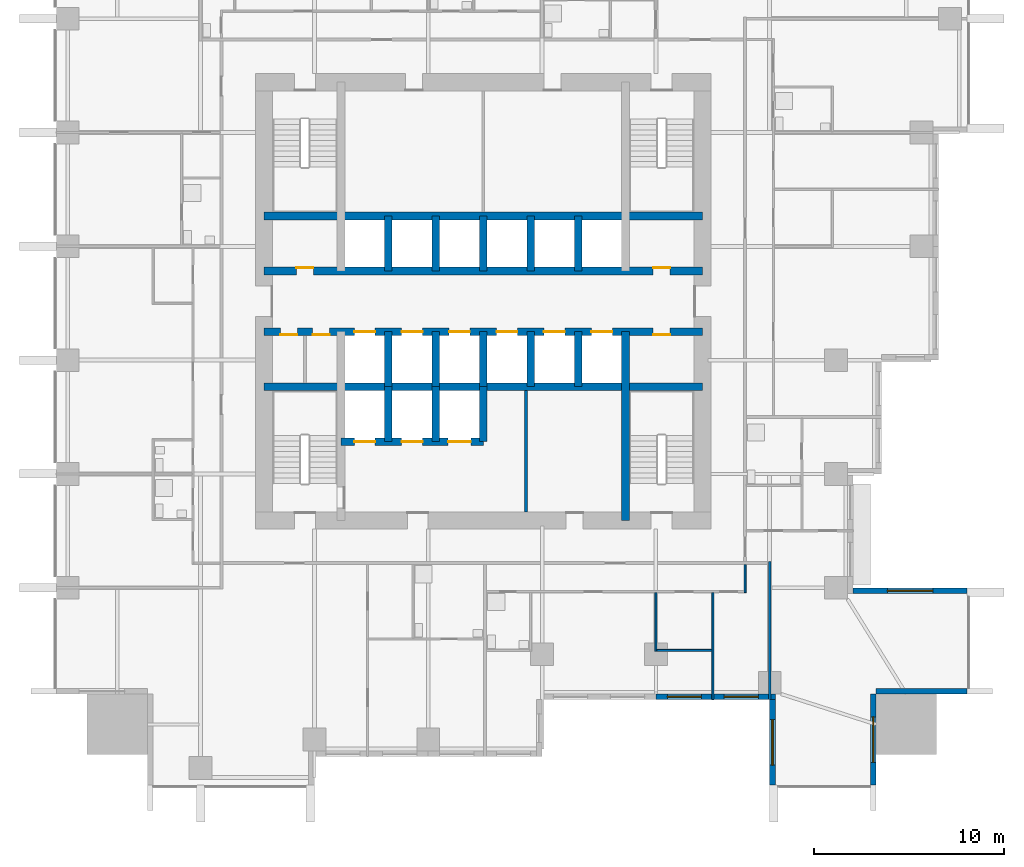
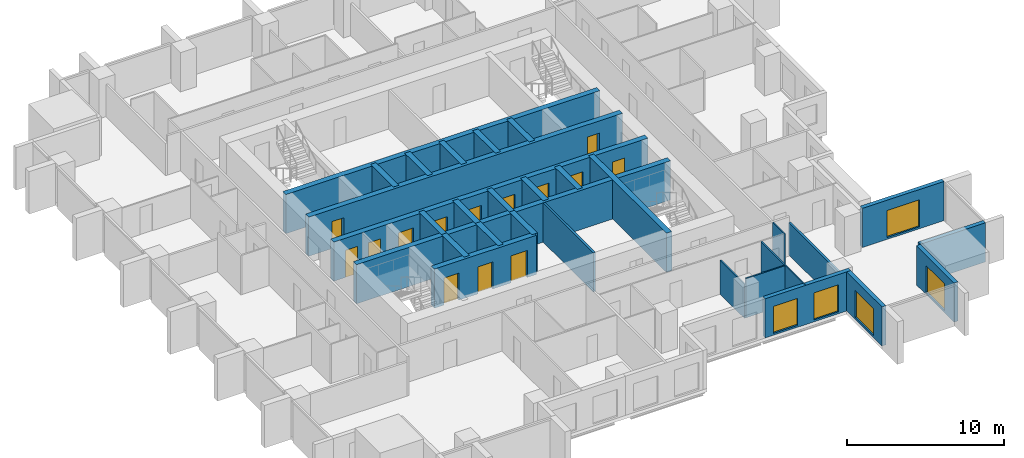
# One storey, part 5 of 10: 30 walls, 14 doors, 5 windows, 19 openings.
"""IFC4 building model written with IfcOpenShell, lengths in metres."""

from ifc_helpers import new_model, si_unit, direction, frame, frame_2d, origin, place, context, subcontext, project, spatial, rectangle, extrude, material, layer, layer_set, type_object, element, fill, save


model = new_model("IFC4")

# Units and contexts
model_context = context("Model", 3, precision=1e-05, world=origin(), true_north=direction((0.0, 1.0)))
body_context = subcontext(model_context, "Body", "Model", "MODEL_VIEW")
ifc_project = project(units=[si_unit("LENGTHUNIT", "METRE"), si_unit("AREAUNIT", "SQUARE_METRE"), si_unit("VOLUMEUNIT", "CUBIC_METRE"), si_unit("PLANEANGLEUNIT", "RADIAN"), si_unit("MASSUNIT", "GRAM", prefix="KILO")], contexts=[model_context])

# Site, building, storey
site_placement = place(None, origin())
site = spatial("IfcSite", under=ifc_project, at=site_placement, CompositionType="ELEMENT")
building_placement = place(site_placement, origin())
building = spatial("IfcBuilding", under=site, at=building_placement, Name="Amberfall Residences", CompositionType="ELEMENT")
storey_placement = place(building_placement, frame((0.0, 0.0, 36.699951171875)))
storey = spatial("IfcBuildingStorey", under=building, at=storey_placement, Name="L09", CompositionType="ELEMENT", Elevation=36.699951171875)

# Wall, opening, window
ifc_material_1 = material(Name="Pale stone cladding on insulated backing", Category="masonry")
ifc_layer_1 = layer(ifc_material_1, 0.300048828125)
ifc_layer_set_1 = layer_set([ifc_layer_1], Name="Bronze clad wall 300")
wall_type_1 = type_object("IfcWallType", Name="Bronze clad wall 300", PredefinedType="SOLIDWALL", material=ifc_layer_set_1)
wall_1_placement = place(storey_placement, frame((89.75, 24.5, 0.0), z_axis=(0.0, 0.0, 1.0), x_axis=(0.0, -1.0, 0.0)))
wall_1 = element("IfcWall", 1, at=wall_1_placement, inside=storey, type_object=wall_type_1, Name="External wall L09 S", PredefinedType="SOLIDWALL", context=body_context, shape_type="SweptSolid", body=[
    extrude(rectangle(XDim=4.5, YDim=0.300048828125, at=frame_2d((2.25, 0.0))), origin(), (0.0, 0.0, 1.0), 3.050048828125),
])
opening_1_placement = place(wall_1_placement, frame((1.050048828125, 0.0, 0.14990234375)))
opening_1 = element("IfcOpeningElement", 2, at=opening_1_placement, cuts=wall_1, Name="Opening WN5", PredefinedType="OPENING", context=body_context, shape_type="SweptSolid", body=[
    extrude(rectangle(XDim=2.39990234375, YDim=2.10009765625, at=frame_2d((1.199951171875, 1.050048828125))), frame((0.0, 0.159912109375, 0.0), z_axis=(0.0, -1.0, 0.0), x_axis=(1.0, 0.0, 0.0)), (0.0, 0.0, 1.0), 0.320068359375),
])
ifc_material_2 = material(Name="Bronze aluminium framed glazing", Category="aluminium")
window_type_1 = type_object("IfcWindowType", Name="Glazed opening 2400 x 2100 bronze", PartitioningType="DOUBLE_PANEL_VERTICAL", PredefinedType="WINDOW", material=ifc_material_2)
window_1_placement = place(opening_1_placement, origin())
window_1 = element("IfcWindow", 3, at=window_1_placement, inside=storey, type_object=window_type_1, Name="Window L09 S", OverallHeight=2.10009765625, OverallWidth=2.39990234375, PartitioningType="DOUBLE_PANEL_VERTICAL", PredefinedType="WINDOW", context=body_context, shape_type="SweptSolid", body=[
    extrude(rectangle(XDim=2.39990234375, YDim=2.10009765625, at=frame_2d((1.199951171875, 1.050048828125))), frame((0.0, 0.030029296875, 0.0), z_axis=(0.0, -1.0, 0.0), x_axis=(1.0, 0.0, 0.0)), (0.0, 0.0, 1.0), 0.06005859375),
])
fill(opening_1, window_1)

wall_2_placement = place(storey_placement, frame((95.050048828125, 20.0, 0.0), z_axis=(0.0, 0.0, 1.0), x_axis=(0.0, 1.0, 0.0)))
wall_2 = element("IfcWall", 4, at=wall_2_placement, inside=storey, type_object=wall_type_1, Name="External wall L09 SE", PredefinedType="SOLIDWALL", context=body_context, shape_type="SweptSolid", body=[
    extrude(rectangle(XDim=4.800048828125, YDim=0.300048828125, at=frame_2d((2.39990234375, 0.0))), origin(), (0.0, 0.0, 1.0), 3.050048828125),
])
opening_2_placement = place(wall_2_placement, frame((1.199951171875, 0.0, 0.14990234375)))
opening_2 = element("IfcOpeningElement", 5, at=opening_2_placement, cuts=wall_2, Name="Opening WN5", PredefinedType="OPENING", context=body_context, shape_type="SweptSolid", body=[
    extrude(rectangle(XDim=2.39990234375, YDim=2.10009765625, at=frame_2d((1.199951171875, 1.050048828125))), frame((0.0, 0.159912109375, 0.0), z_axis=(0.0, -1.0, 0.0), x_axis=(1.0, 0.0, 0.0)), (0.0, 0.0, 1.0), 0.320068359375),
])
window_2_placement = place(opening_2_placement, origin())
window_2 = element("IfcWindow", 6, at=window_2_placement, inside=storey, type_object=window_type_1, Name="Window L09 SE", OverallHeight=2.10009765625, OverallWidth=2.39990234375, PartitioningType="DOUBLE_PANEL_VERTICAL", PredefinedType="WINDOW", context=body_context, shape_type="SweptSolid", body=[
    extrude(rectangle(XDim=2.39990234375, YDim=2.10009765625, at=frame_2d((1.199951171875, 1.050048828125))), frame((0.0, 0.030029296875, 0.0), z_axis=(0.0, -1.0, 0.0), x_axis=(1.0, 0.0, 0.0)), (0.0, 0.0, 1.0), 0.06005859375),
])
fill(opening_2, window_2)

# Wall
wall_3_placement = place(storey_placement, frame((95.199951171875, 24.949951171875, 0.0), z_axis=(0.0, 0.0, 1.0), x_axis=(1.0, 0.0, 0.0)))
element("IfcWall", 7, at=wall_3_placement, inside=storey, type_object=wall_type_1, Name="External wall L09 SE", PredefinedType="SOLIDWALL", context=body_context, shape_type="SweptSolid", body=[
    extrude(rectangle(XDim=4.800048828125, YDim=0.300048828125, at=frame_2d((2.39990234375, 0.0))), origin(), (0.0, 0.0, 1.0), 3.050048828125),
])

# Wall, opening, window
wall_4_placement = place(storey_placement, frame((100.0, 30.25, 0.0), z_axis=(0.0, 0.0, 1.0), x_axis=(-1.0, 0.0, 0.0)))
wall_4 = element("IfcWall", 8, at=wall_4_placement, inside=storey, type_object=wall_type_1, Name="External wall L09 E", PredefinedType="SOLIDWALL", context=body_context, shape_type="SweptSolid", body=[
    extrude(rectangle(XDim=6.0, YDim=0.300048828125, at=frame_2d((3.0, 0.0))), origin(), (0.0, 0.0, 1.0), 3.050048828125),
])
opening_3_placement = place(wall_4_placement, frame((1.800048828125, 0.0, 0.14990234375)))
opening_3 = element("IfcOpeningElement", 9, at=opening_3_placement, cuts=wall_4, Name="Opening WN5", PredefinedType="OPENING", context=body_context, shape_type="SweptSolid", body=[
    extrude(rectangle(XDim=2.39990234375, YDim=2.10009765625, at=frame_2d((1.199951171875, 1.050048828125))), frame((0.0, 0.159912109375, 0.0), z_axis=(0.0, -1.0, 0.0), x_axis=(1.0, 0.0, 0.0)), (0.0, 0.0, 1.0), 0.320068359375),
])
window_3_placement = place(opening_3_placement, origin())
window_3 = element("IfcWindow", 10, at=window_3_placement, inside=storey, type_object=window_type_1, Name="Window L09 E", OverallHeight=2.10009765625, OverallWidth=2.39990234375, PartitioningType="DOUBLE_PANEL_VERTICAL", PredefinedType="WINDOW", context=body_context, shape_type="SweptSolid", body=[
    extrude(rectangle(XDim=2.39990234375, YDim=2.10009765625, at=frame_2d((1.199951171875, 1.050048828125))), frame((0.0, 0.030029296875, 0.0), z_axis=(0.0, -1.0, 0.0), x_axis=(1.0, 0.0, 0.0)), (0.0, 0.0, 1.0), 0.06005859375),
])
fill(opening_3, window_3)

# Wall, openings, windows
wall_5_placement = place(storey_placement, frame((83.60009765625, 24.64990234375, 0.0), z_axis=(0.0, 0.0, 1.0), x_axis=(1.0, 0.0, 0.0)))
wall_5 = element("IfcWall", 11, at=wall_5_placement, inside=storey, type_object=wall_type_1, Name="Stone wall L09 S", PredefinedType="SOLIDWALL", context=body_context, shape_type="SweptSolid", body=[
    extrude(rectangle(XDim=6.2998046875, YDim=0.300048828125, at=frame_2d((3.14990234375, 0.0))), origin(), (0.0, 0.0, 1.0), 3.050048828125),
])
opening_4_placement = place(wall_5_placement, frame((0.60009765625, 0.0, 0.14990234375)))
opening_4 = element("IfcOpeningElement", 12, at=opening_4_placement, cuts=wall_5, Name="Opening WN6", PredefinedType="OPENING", context=body_context, shape_type="SweptSolid", body=[
    extrude(rectangle(XDim=1.800048828125, YDim=2.10009765625, at=frame_2d((0.89990234375, 1.050048828125))), frame((0.0, 0.159912109375, 0.0), z_axis=(0.0, -1.0, 0.0), x_axis=(1.0, 0.0, 0.0)), (0.0, 0.0, 1.0), 0.320068359375),
])
opening_5_placement = place(wall_5_placement, frame((3.60009765625, 0.0, 0.14990234375)))
opening_5 = element("IfcOpeningElement", 13, at=opening_5_placement, cuts=wall_5, Name="Opening WN6", PredefinedType="OPENING", context=body_context, shape_type="SweptSolid", body=[
    extrude(rectangle(XDim=1.800048828125, YDim=2.10009765625, at=frame_2d((0.89990234375, 1.050048828125))), frame((0.0, 0.159912109375, 0.0), z_axis=(0.0, -1.0, 0.0), x_axis=(1.0, 0.0, 0.0)), (0.0, 0.0, 1.0), 0.320068359375),
])
window_type_2 = type_object("IfcWindowType", Name="Glazed opening 1800 x 2100 bronze", PartitioningType="DOUBLE_PANEL_VERTICAL", PredefinedType="WINDOW", material=ifc_material_2)
window_4_placement = place(opening_4_placement, origin())
window_4 = element("IfcWindow", 14, at=window_4_placement, inside=storey, type_object=window_type_2, Name="Window L09 S", OverallHeight=2.10009765625, OverallWidth=1.800048828125, PartitioningType="DOUBLE_PANEL_VERTICAL", PredefinedType="WINDOW", context=body_context, shape_type="SweptSolid", body=[
    extrude(rectangle(XDim=1.800048828125, YDim=2.10009765625, at=frame_2d((0.89990234375, 1.050048828125))), frame((0.0, 0.030029296875, 0.0), z_axis=(0.0, -1.0, 0.0), x_axis=(1.0, 0.0, 0.0)), (0.0, 0.0, 1.0), 0.06005859375),
])
fill(opening_4, window_4)
window_5_placement = place(opening_5_placement, origin())
window_5 = element("IfcWindow", 15, at=window_5_placement, inside=storey, type_object=window_type_2, Name="Window L09 S", OverallHeight=2.10009765625, OverallWidth=1.800048828125, PartitioningType="DOUBLE_PANEL_VERTICAL", PredefinedType="WINDOW", context=body_context, shape_type="SweptSolid", body=[
    extrude(rectangle(XDim=1.800048828125, YDim=2.10009765625, at=frame_2d((0.89990234375, 1.050048828125))), frame((0.0, 0.030029296875, 0.0), z_axis=(0.0, -1.0, 0.0), x_axis=(1.0, 0.0, 0.0)), (0.0, 0.0, 1.0), 0.06005859375),
])
fill(opening_5, window_5)

# Wall
ifc_material_3 = material(Name="Concrete C80", Category="concrete")
ifc_layer_2 = layer(ifc_material_3, 0.39990234375)
ifc_layer_set_2 = layer_set([ifc_layer_2], Name="Core wall 400 C80")
wall_type_2 = type_object("IfcWallType", Name="Core wall 400 C80", PredefinedType="SHEAR", material=ifc_layer_set_2)
wall_6_placement = place(storey_placement, frame((62.949951171875, 41.0, 0.0), z_axis=(0.0, 0.0, 1.0), x_axis=(1.0, 0.0, 0.0)))
element("IfcWall", 16, at=wall_6_placement, inside=storey, type_object=wall_type_2, Name="Core wall RW2 L09 H75", PredefinedType="SHEAR", context=body_context, shape_type="SweptSolid", body=[
    extrude(rectangle(XDim=23.10009765625, YDim=0.39990234375, at=frame_2d((11.550048828125, 0.0))), origin(), (0.0, 0.0, 1.0), 3.050048828125),
])

# Wall, openings, doors
wall_7_placement = place(storey_placement, frame((62.949951171875, 43.89990234375, 0.0), z_axis=(0.0, 0.0, 1.0), x_axis=(1.0, 0.0, 0.0)))
wall_7 = element("IfcWall", 17, at=wall_7_placement, inside=storey, type_object=wall_type_2, Name="Core wall RW2 L09 H104", PredefinedType="SHEAR", context=body_context, shape_type="SweptSolid", body=[
    extrude(rectangle(XDim=23.10009765625, YDim=0.39990234375, at=frame_2d((11.550048828125, 0.0))), origin(), (0.0, 0.0, 1.0), 3.050048828125),
])
opening_6_placement = place(wall_7_placement, frame((0.85009765625, 0.0, 0.0)))
opening_6 = element("IfcOpeningElement", 18, at=opening_6_placement, cuts=wall_7, Name="Opening RD1", PredefinedType="OPENING", context=body_context, shape_type="SweptSolid", body=[
    extrude(rectangle(XDim=0.89990234375, YDim=2.10009765625, at=frame_2d((0.449951171875, 1.050048828125))), frame((0.0, 0.2099609375, 0.0), z_axis=(0.0, -1.0, 0.0), x_axis=(1.0, 0.0, 0.0)), (0.0, 0.0, 1.0), 0.419921875),
])
opening_7_placement = place(wall_7_placement, frame((2.550048828125, 0.0, 0.0)))
opening_7 = element("IfcOpeningElement", 19, at=opening_7_placement, cuts=wall_7, Name="Opening RD1", PredefinedType="OPENING", context=body_context, shape_type="SweptSolid", body=[
    extrude(rectangle(XDim=0.89990234375, YDim=2.10009765625, at=frame_2d((0.449951171875, 1.050048828125))), frame((0.0, 0.2099609375, 0.0), z_axis=(0.0, -1.0, 0.0), x_axis=(1.0, 0.0, 0.0)), (0.0, 0.0, 1.0), 0.419921875),
])
opening_8_placement = place(wall_7_placement, frame((20.5, 0.0, 0.0)))
opening_8 = element("IfcOpeningElement", 20, at=opening_8_placement, cuts=wall_7, Name="Opening RD1", PredefinedType="OPENING", context=body_context, shape_type="SweptSolid", body=[
    extrude(rectangle(XDim=0.89990234375, YDim=2.10009765625, at=frame_2d((0.449951171875, 1.050048828125))), frame((0.0, 0.2099609375, 0.0), z_axis=(0.0, -1.0, 0.0), x_axis=(1.0, 0.0, 0.0)), (0.0, 0.0, 1.0), 0.419921875),
])
opening_9_placement = place(wall_7_placement, frame((4.75, 0.0, 0.0)))
opening_9 = element("IfcOpeningElement", 21, at=opening_9_placement, cuts=wall_7, Name="Opening LD1", PredefinedType="OPENING", context=body_context, shape_type="SweptSolid", body=[
    extrude(rectangle(XDim=1.10009765625, YDim=2.10009765625, at=frame_2d((0.550048828125, 1.050048828125))), frame((0.0, 0.2099609375, 0.0), z_axis=(0.0, -1.0, 0.0), x_axis=(1.0, 0.0, 0.0)), (0.0, 0.0, 1.0), 0.419921875),
])
opening_10_placement = place(wall_7_placement, frame((7.25, 0.0, 0.0)))
opening_10 = element("IfcOpeningElement", 22, at=opening_10_placement, cuts=wall_7, Name="Opening LD1", PredefinedType="OPENING", context=body_context, shape_type="SweptSolid", body=[
    extrude(rectangle(XDim=1.10009765625, YDim=2.10009765625, at=frame_2d((0.550048828125, 1.050048828125))), frame((0.0, 0.2099609375, 0.0), z_axis=(0.0, -1.0, 0.0), x_axis=(1.0, 0.0, 0.0)), (0.0, 0.0, 1.0), 0.419921875),
])
opening_11_placement = place(wall_7_placement, frame((9.75, 0.0, 0.0)))
opening_11 = element("IfcOpeningElement", 23, at=opening_11_placement, cuts=wall_7, Name="Opening LD1", PredefinedType="OPENING", context=body_context, shape_type="SweptSolid", body=[
    extrude(rectangle(XDim=1.10009765625, YDim=2.10009765625, at=frame_2d((0.550048828125, 1.050048828125))), frame((0.0, 0.2099609375, 0.0), z_axis=(0.0, -1.0, 0.0), x_axis=(1.0, 0.0, 0.0)), (0.0, 0.0, 1.0), 0.419921875),
])
opening_12_placement = place(wall_7_placement, frame((12.25, 0.0, 0.0)))
opening_12 = element("IfcOpeningElement", 24, at=opening_12_placement, cuts=wall_7, Name="Opening LD1", PredefinedType="OPENING", context=body_context, shape_type="SweptSolid", body=[
    extrude(rectangle(XDim=1.10009765625, YDim=2.10009765625, at=frame_2d((0.550048828125, 1.050048828125))), frame((0.0, 0.2099609375, 0.0), z_axis=(0.0, -1.0, 0.0), x_axis=(1.0, 0.0, 0.0)), (0.0, 0.0, 1.0), 0.419921875),
])
opening_13_placement = place(wall_7_placement, frame((14.75, 0.0, 0.0)))
opening_13 = element("IfcOpeningElement", 25, at=opening_13_placement, cuts=wall_7, Name="Opening LD1", PredefinedType="OPENING", context=body_context, shape_type="SweptSolid", body=[
    extrude(rectangle(XDim=1.10009765625, YDim=2.10009765625, at=frame_2d((0.550048828125, 1.050048828125))), frame((0.0, 0.2099609375, 0.0), z_axis=(0.0, -1.0, 0.0), x_axis=(1.0, 0.0, 0.0)), (0.0, 0.0, 1.0), 0.419921875),
])
opening_14_placement = place(wall_7_placement, frame((17.25, 0.0, 0.0)))
opening_14 = element("IfcOpeningElement", 26, at=opening_14_placement, cuts=wall_7, Name="Opening LD1", PredefinedType="OPENING", context=body_context, shape_type="SweptSolid", body=[
    extrude(rectangle(XDim=1.10009765625, YDim=2.10009765625, at=frame_2d((0.550048828125, 1.050048828125))), frame((0.0, 0.2099609375, 0.0), z_axis=(0.0, -1.0, 0.0), x_axis=(1.0, 0.0, 0.0)), (0.0, 0.0, 1.0), 0.419921875),
])
ifc_material_4 = material(Name="Steel fire door set", Category="steel")
door_type_1 = type_object("IfcDoorType", Name="Lift landing door 1100 x 2100", OperationType="DOUBLE_DOOR_SLIDING", PredefinedType="DOOR", material=ifc_material_4)
door_1_placement = place(opening_9_placement, origin())
door_1 = element("IfcDoor", 27, at=door_1_placement, inside=storey, type_object=door_type_1, Name="Landing door LP1 L09", OperationType="DOUBLE_DOOR_SLIDING", OverallHeight=2.10009765625, OverallWidth=1.10009765625, PredefinedType="DOOR", context=body_context, shape_type="SweptSolid", body=[
    extrude(rectangle(XDim=1.10009765625, YDim=2.10009765625, at=frame_2d((0.550048828125, 1.050048828125))), frame((0.0, 0.02490234375, 0.0), z_axis=(0.0, -1.0, 0.0), x_axis=(1.0, 0.0, 0.0)), (0.0, 0.0, 1.0), 0.050048828125),
])
fill(opening_9, door_1)
door_2_placement = place(opening_10_placement, origin())
door_2 = element("IfcDoor", 28, at=door_2_placement, inside=storey, type_object=door_type_1, Name="Landing door LP2 L09", OperationType="DOUBLE_DOOR_SLIDING", OverallHeight=2.10009765625, OverallWidth=1.10009765625, PredefinedType="DOOR", context=body_context, shape_type="SweptSolid", body=[
    extrude(rectangle(XDim=1.10009765625, YDim=2.10009765625, at=frame_2d((0.550048828125, 1.050048828125))), frame((0.0, 0.02490234375, 0.0), z_axis=(0.0, -1.0, 0.0), x_axis=(1.0, 0.0, 0.0)), (0.0, 0.0, 1.0), 0.050048828125),
])
fill(opening_10, door_2)
door_3_placement = place(opening_11_placement, origin())
door_3 = element("IfcDoor", 29, at=door_3_placement, inside=storey, type_object=door_type_1, Name="Landing door LP3 L09", OperationType="DOUBLE_DOOR_SLIDING", OverallHeight=2.10009765625, OverallWidth=1.10009765625, PredefinedType="DOOR", context=body_context, shape_type="SweptSolid", body=[
    extrude(rectangle(XDim=1.10009765625, YDim=2.10009765625, at=frame_2d((0.550048828125, 1.050048828125))), frame((0.0, 0.02490234375, 0.0), z_axis=(0.0, -1.0, 0.0), x_axis=(1.0, 0.0, 0.0)), (0.0, 0.0, 1.0), 0.050048828125),
])
fill(opening_11, door_3)
door_4_placement = place(opening_12_placement, origin())
door_4 = element("IfcDoor", 30, at=door_4_placement, inside=storey, type_object=door_type_1, Name="Landing door LP4 L09", OperationType="DOUBLE_DOOR_SLIDING", OverallHeight=2.10009765625, OverallWidth=1.10009765625, PredefinedType="DOOR", context=body_context, shape_type="SweptSolid", body=[
    extrude(rectangle(XDim=1.10009765625, YDim=2.10009765625, at=frame_2d((0.550048828125, 1.050048828125))), frame((0.0, 0.02490234375, 0.0), z_axis=(0.0, -1.0, 0.0), x_axis=(1.0, 0.0, 0.0)), (0.0, 0.0, 1.0), 0.050048828125),
])
fill(opening_12, door_4)
door_5_placement = place(opening_13_placement, origin())
door_5 = element("IfcDoor", 31, at=door_5_placement, inside=storey, type_object=door_type_1, Name="Landing door LP5 L09", OperationType="DOUBLE_DOOR_SLIDING", OverallHeight=2.10009765625, OverallWidth=1.10009765625, PredefinedType="DOOR", context=body_context, shape_type="SweptSolid", body=[
    extrude(rectangle(XDim=1.10009765625, YDim=2.10009765625, at=frame_2d((0.550048828125, 1.050048828125))), frame((0.0, 0.02490234375, 0.0), z_axis=(0.0, -1.0, 0.0), x_axis=(1.0, 0.0, 0.0)), (0.0, 0.0, 1.0), 0.050048828125),
])
fill(opening_13, door_5)
door_6_placement = place(opening_14_placement, origin())
door_6 = element("IfcDoor", 32, at=door_6_placement, inside=storey, type_object=door_type_1, Name="Landing door LP6 L09", OperationType="DOUBLE_DOOR_SLIDING", OverallHeight=2.10009765625, OverallWidth=1.10009765625, PredefinedType="DOOR", context=body_context, shape_type="SweptSolid", body=[
    extrude(rectangle(XDim=1.10009765625, YDim=2.10009765625, at=frame_2d((0.550048828125, 1.050048828125))), frame((0.0, 0.02490234375, 0.0), z_axis=(0.0, -1.0, 0.0), x_axis=(1.0, 0.0, 0.0)), (0.0, 0.0, 1.0), 0.050048828125),
])
fill(opening_14, door_6)
door_type_2 = type_object("IfcDoorType", Name="Service room door 900 x 2100", OperationType="SINGLE_SWING_LEFT", PredefinedType="DOOR", material=ifc_material_4)
door_7_placement = place(opening_6_placement, origin())
door_7 = element("IfcDoor", 33, at=door_7_placement, inside=storey, type_object=door_type_2, Name="RD1 L09", OperationType="SINGLE_SWING_LEFT", OverallHeight=2.10009765625, OverallWidth=0.89990234375, PredefinedType="DOOR", context=body_context, shape_type="SweptSolid", body=[
    extrude(rectangle(XDim=0.89990234375, YDim=2.10009765625, at=frame_2d((0.449951171875, 1.050048828125))), frame((0.0, -0.1376953125, 0.0), z_axis=(0.0, -1.0, 0.0), x_axis=(1.0, 0.0, 0.0)), (0.0, 0.0, 1.0), 0.050048828125),
])
fill(opening_6, door_7)
door_8_placement = place(opening_7_placement, origin())
door_8 = element("IfcDoor", 34, at=door_8_placement, inside=storey, type_object=door_type_2, Name="RD1 L09", OperationType="SINGLE_SWING_RIGHT", OverallHeight=2.10009765625, OverallWidth=0.89990234375, PredefinedType="DOOR", context=body_context, shape_type="SweptSolid", body=[
    extrude(rectangle(XDim=0.89990234375, YDim=2.10009765625, at=frame_2d((0.449951171875, 1.050048828125))), frame((0.0, -0.1376953125, 0.0), z_axis=(0.0, -1.0, 0.0), x_axis=(1.0, 0.0, 0.0)), (0.0, 0.0, 1.0), 0.050048828125),
])
fill(opening_7, door_8)
door_9_placement = place(opening_8_placement, origin())
door_9 = element("IfcDoor", 35, at=door_9_placement, inside=storey, type_object=door_type_2, Name="RD1 L09", OperationType="SINGLE_SWING_LEFT", OverallHeight=2.10009765625, OverallWidth=0.89990234375, PredefinedType="DOOR", context=body_context, shape_type="SweptSolid", body=[
    extrude(rectangle(XDim=0.89990234375, YDim=2.10009765625, at=frame_2d((0.449951171875, 1.050048828125))), frame((0.0, -0.1376953125, 0.0), z_axis=(0.0, -1.0, 0.0), x_axis=(1.0, 0.0, 0.0)), (0.0, 0.0, 1.0), 0.050048828125),
])
fill(opening_8, door_9)

wall_8_placement = place(storey_placement, frame((62.949951171875, 47.10009765625, 0.0), z_axis=(0.0, 0.0, 1.0), x_axis=(1.0, 0.0, 0.0)))
wall_8 = element("IfcWall", 36, at=wall_8_placement, inside=storey, type_object=wall_type_2, Name="Core wall RW2 L09 H136", PredefinedType="SHEAR", context=body_context, shape_type="SweptSolid", body=[
    extrude(rectangle(XDim=23.10009765625, YDim=0.39990234375, at=frame_2d((11.550048828125, 0.0))), origin(), (0.0, 0.0, 1.0), 3.050048828125),
])
opening_15_placement = place(wall_8_placement, frame((1.699951171875, 0.0, 0.0)))
opening_15 = element("IfcOpeningElement", 37, at=opening_15_placement, cuts=wall_8, Name="Opening RD1", PredefinedType="OPENING", context=body_context, shape_type="SweptSolid", body=[
    extrude(rectangle(XDim=0.89990234375, YDim=2.10009765625, at=frame_2d((0.449951171875, 1.050048828125))), frame((0.0, 0.2099609375, 0.0), z_axis=(0.0, -1.0, 0.0), x_axis=(1.0, 0.0, 0.0)), (0.0, 0.0, 1.0), 0.419921875),
])
opening_16_placement = place(wall_8_placement, frame((20.5, 0.0, 0.0)))
opening_16 = element("IfcOpeningElement", 38, at=opening_16_placement, cuts=wall_8, Name="Opening RD1", PredefinedType="OPENING", context=body_context, shape_type="SweptSolid", body=[
    extrude(rectangle(XDim=0.89990234375, YDim=2.10009765625, at=frame_2d((0.449951171875, 1.050048828125))), frame((0.0, 0.2099609375, 0.0), z_axis=(0.0, -1.0, 0.0), x_axis=(1.0, 0.0, 0.0)), (0.0, 0.0, 1.0), 0.419921875),
])
door_10_placement = place(opening_15_placement, origin())
door_10 = element("IfcDoor", 39, at=door_10_placement, inside=storey, type_object=door_type_2, Name="RD1 L09", OperationType="SINGLE_SWING_LEFT", OverallHeight=2.10009765625, OverallWidth=0.89990234375, PredefinedType="DOOR", context=body_context, shape_type="SweptSolid", body=[
    extrude(rectangle(XDim=0.89990234375, YDim=2.10009765625, at=frame_2d((0.449951171875, 1.050048828125))), frame((0.0, 0.1875, 0.0), z_axis=(0.0, -1.0, 0.0), x_axis=(1.0, 0.0, 0.0)), (0.0, 0.0, 1.0), 0.050048828125),
])
fill(opening_15, door_10)
door_11_placement = place(opening_16_placement, origin())
door_11 = element("IfcDoor", 40, at=door_11_placement, inside=storey, type_object=door_type_2, Name="RD1 L09", OperationType="SINGLE_SWING_LEFT", OverallHeight=2.10009765625, OverallWidth=0.89990234375, PredefinedType="DOOR", context=body_context, shape_type="SweptSolid", body=[
    extrude(rectangle(XDim=0.89990234375, YDim=2.10009765625, at=frame_2d((0.449951171875, 1.050048828125))), frame((0.0, 0.1875, 0.0), z_axis=(0.0, -1.0, 0.0), x_axis=(1.0, 0.0, 0.0)), (0.0, 0.0, 1.0), 0.050048828125),
])
fill(opening_16, door_11)

# Walls
wall_9_placement = place(storey_placement, frame((62.949951171875, 50.0, 0.0), z_axis=(0.0, 0.0, 1.0), x_axis=(1.0, 0.0, 0.0)))
element("IfcWall", 41, at=wall_9_placement, inside=storey, type_object=wall_type_2, Name="Core wall RW2 L09 H165", PredefinedType="SHEAR", context=body_context, shape_type="SweptSolid", body=[
    extrude(rectangle(XDim=23.10009765625, YDim=0.39990234375, at=frame_2d((11.550048828125, 0.0))), origin(), (0.0, 0.0, 1.0), 3.050048828125),
])
wall_10_placement = place(storey_placement, frame((82.0, 33.949951171875, 0.0), z_axis=(0.0, 0.0, 1.0), x_axis=(0.0, 1.0, 0.0)))
element("IfcWall", 42, at=wall_10_placement, inside=storey, type_object=wall_type_2, Name="Core wall RW2 L09 V195S", PredefinedType="SHEAR", context=body_context, shape_type="SweptSolid", body=[
    extrude(rectangle(XDim=9.949951171875, YDim=0.39990234375, at=frame_2d((4.97509765625, 0.0))), origin(), (0.0, 0.0, 1.0), 3.050048828125),
])
for number, where, z_axis, x_axis, name in (
    (43, (69.5, 41.0, 0.0), (0.0, 0.0, 1.0), (0.0, 1.0, 0.0), "Core wall RW2 L09 LPD1"),
    (44, (69.5, 47.10009765625, 0.0), (0.0, 0.0, 1.0), (0.0, 1.0, 0.0), "Core wall RW2 L09 HPD1"),
    (45, (72.0, 41.0, 0.0), (0.0, 0.0, 1.0), (0.0, 1.0, 0.0), "Core wall RW2 L09 LPD2"),
    (46, (72.0, 47.10009765625, 0.0), (0.0, 0.0, 1.0), (0.0, 1.0, 0.0), "Core wall RW2 L09 HPD2"),
    (47, (74.5, 41.0, 0.0), (0.0, 0.0, 1.0), (0.0, 1.0, 0.0), "Core wall RW2 L09 LPD3"),
    (48, (74.5, 47.10009765625, 0.0), (0.0, 0.0, 1.0), (0.0, 1.0, 0.0), "Core wall RW2 L09 HPD3"),
    (49, (77.0, 41.0, 0.0), (0.0, 0.0, 1.0), (0.0, 1.0, 0.0), "Core wall RW2 L09 LPD4"),
    (50, (77.0, 47.10009765625, 0.0), (0.0, 0.0, 1.0), (0.0, 1.0, 0.0), "Core wall RW2 L09 HPD4"),
    (51, (79.5, 41.0, 0.0), (0.0, 0.0, 1.0), (0.0, 1.0, 0.0), "Core wall RW2 L09 LPD5"),
    (52, (79.5, 47.10009765625, 0.0), (0.0, 0.0, 1.0), (0.0, 1.0, 0.0), "Core wall RW2 L09 HPD5"),
):
    element("IfcWall", number, at=place(storey_placement, frame(where, z_axis=z_axis, x_axis=x_axis)), inside=storey, type_object=wall_type_2, Name=name, PredefinedType="SHEAR", context=body_context, shape_type="SweptSolid", body=[
        extrude(rectangle(XDim=2.89990234375, YDim=0.39990234375, at=frame_2d((1.449951171875, 0.0))), origin(), (0.0, 0.0, 1.0), 3.050048828125),
    ])

# Wall, openings, doors
wall_11_placement = place(storey_placement, frame((67.0, 38.10009765625, 0.0), z_axis=(0.0, 0.0, 1.0), x_axis=(1.0, 0.0, 0.0)))
wall_11 = element("IfcWall", 53, at=wall_11_placement, inside=storey, type_object=wall_type_2, Name="Core wall RW2 L09 FFF", PredefinedType="SHEAR", context=body_context, shape_type="SweptSolid", body=[
    extrude(rectangle(XDim=7.5, YDim=0.39990234375, at=frame_2d((3.75, 0.0))), origin(), (0.0, 0.0, 1.0), 3.050048828125),
])
opening_17_placement = place(wall_11_placement, frame((0.699951171875, 0.0, 0.0)))
opening_17 = element("IfcOpeningElement", 54, at=opening_17_placement, cuts=wall_11, Name="Opening LD2", PredefinedType="OPENING", context=body_context, shape_type="SweptSolid", body=[
    extrude(rectangle(XDim=1.10009765625, YDim=2.10009765625, at=frame_2d((0.550048828125, 1.050048828125))), frame((0.0, 0.2099609375, 0.0), z_axis=(0.0, -1.0, 0.0), x_axis=(1.0, 0.0, 0.0)), (0.0, 0.0, 1.0), 0.419921875),
])
opening_18_placement = place(wall_11_placement, frame((3.199951171875, 0.0, 0.0)))
opening_18 = element("IfcOpeningElement", 55, at=opening_18_placement, cuts=wall_11, Name="Opening LD2", PredefinedType="OPENING", context=body_context, shape_type="SweptSolid", body=[
    extrude(rectangle(XDim=1.10009765625, YDim=2.10009765625, at=frame_2d((0.550048828125, 1.050048828125))), frame((0.0, 0.2099609375, 0.0), z_axis=(0.0, -1.0, 0.0), x_axis=(1.0, 0.0, 0.0)), (0.0, 0.0, 1.0), 0.419921875),
])
opening_19_placement = place(wall_11_placement, frame((5.64990234375, 0.0, 0.0)))
opening_19 = element("IfcOpeningElement", 56, at=opening_19_placement, cuts=wall_11, Name="Opening LD3", PredefinedType="OPENING", context=body_context, shape_type="SweptSolid", body=[
    extrude(rectangle(XDim=1.199951171875, YDim=2.10009765625, at=frame_2d((0.60009765625, 1.050048828125))), frame((0.0, 0.2099609375, 0.0), z_axis=(0.0, -1.0, 0.0), x_axis=(1.0, 0.0, 0.0)), (0.0, 0.0, 1.0), 0.419921875),
])
door_type_3 = type_object("IfcDoorType", Name="Firefighting lift landing door 1100 x 2100", OperationType="DOUBLE_DOOR_SLIDING", PredefinedType="DOOR", material=ifc_material_4)
door_12_placement = place(opening_17_placement, origin())
door_12 = element("IfcDoor", 57, at=door_12_placement, inside=storey, type_object=door_type_3, Name="Landing door FF1 L09", OperationType="DOUBLE_DOOR_SLIDING", OverallHeight=2.10009765625, OverallWidth=1.10009765625, PredefinedType="DOOR", context=body_context, shape_type="SweptSolid", body=[
    extrude(rectangle(XDim=1.10009765625, YDim=2.10009765625, at=frame_2d((0.550048828125, 1.050048828125))), frame((0.0, 0.02490234375, 0.0), z_axis=(0.0, -1.0, 0.0), x_axis=(1.0, 0.0, 0.0)), (0.0, 0.0, 1.0), 0.050048828125),
])
fill(opening_17, door_12)
door_13_placement = place(opening_18_placement, origin())
door_13 = element("IfcDoor", 58, at=door_13_placement, inside=storey, type_object=door_type_3, Name="Landing door FF2 L09", OperationType="DOUBLE_DOOR_SLIDING", OverallHeight=2.10009765625, OverallWidth=1.10009765625, PredefinedType="DOOR", context=body_context, shape_type="SweptSolid", body=[
    extrude(rectangle(XDim=1.10009765625, YDim=2.10009765625, at=frame_2d((0.550048828125, 1.050048828125))), frame((0.0, 0.02490234375, 0.0), z_axis=(0.0, -1.0, 0.0), x_axis=(1.0, 0.0, 0.0)), (0.0, 0.0, 1.0), 0.050048828125),
])
fill(opening_18, door_13)
door_type_4 = type_object("IfcDoorType", Name="Service lift landing door 1200 x 2100", OperationType="DOUBLE_DOOR_SLIDING", PredefinedType="DOOR", material=ifc_material_4)
door_14_placement = place(opening_19_placement, origin())
door_14 = element("IfcDoor", 59, at=door_14_placement, inside=storey, type_object=door_type_4, Name="Landing door SL1 L09", OperationType="DOUBLE_DOOR_SLIDING", OverallHeight=2.10009765625, OverallWidth=1.199951171875, PredefinedType="DOOR", context=body_context, shape_type="SweptSolid", body=[
    extrude(rectangle(XDim=1.199951171875, YDim=2.10009765625, at=frame_2d((0.60009765625, 1.050048828125))), frame((0.0, 0.02490234375, 0.0), z_axis=(0.0, -1.0, 0.0), x_axis=(1.0, 0.0, 0.0)), (0.0, 0.0, 1.0), 0.050048828125),
])
fill(opening_19, door_14)

# Walls
for number, where, z_axis, x_axis, name in (
    (60, (69.5, 38.10009765625, 0.0), (0.0, 0.0, 1.0), (0.0, 1.0, 0.0), "Core wall RW2 L09 FFD1"),
    (61, (72.0, 38.10009765625, 0.0), (0.0, 0.0, 1.0), (0.0, 1.0, 0.0), "Core wall RW2 L09 FFD2"),
    (62, (74.5, 38.10009765625, 0.0), (0.0, 0.0, 1.0), (0.0, 1.0, 0.0), "Core wall RW2 L09 FFD3"),
):
    element("IfcWall", number, at=place(storey_placement, frame(where, z_axis=z_axis, x_axis=x_axis)), inside=storey, type_object=wall_type_2, Name=name, PredefinedType="SHEAR", context=body_context, shape_type="SweptSolid", body=[
        extrude(rectangle(XDim=2.89990234375, YDim=0.39990234375, at=frame_2d((1.449951171875, 0.0))), origin(), (0.0, 0.0, 1.0), 3.050048828125),
    ])
ifc_material_5 = material(Name="Gypsum board on metal stud")
ifc_layer_3 = layer(ifc_material_5, 0.10009765625)
ifc_layer_set_3 = layer_set([ifc_layer_3], Name="Flat partition 100")
wall_type_3 = type_object("IfcWallType", Name="Flat partition 100", PredefinedType="PARTITIONING", material=ifc_layer_set_3)
wall_12_placement = place(storey_placement, frame((83.60009765625, 27.050048828125, 0.0), z_axis=(0.0, 0.0, 1.0), x_axis=(0.0, 1.0, 0.0)))
element("IfcWall", 63, at=wall_12_placement, inside=storey, type_object=wall_type_3, Name="Partition 014", PredefinedType="PARTITIONING", context=body_context, shape_type="SweptSolid", body=[
    extrude(rectangle(XDim=3.099853515625, YDim=0.10009765625, at=frame_2d((1.5498046875, 0.0))), origin(), (0.0, 0.0, 1.0), 2.64697265625),
])
wall_13_placement = place(storey_placement, frame((86.60009765625, 24.5, 0.0), z_axis=(0.0, 0.0, 1.0), x_axis=(0.0, 1.0, 0.0)))
element("IfcWall", 64, at=wall_13_placement, inside=storey, type_object=wall_type_3, Name="Partition 016", PredefinedType="PARTITIONING", context=body_context, shape_type="SweptSolid", body=[
    extrude(rectangle(XDim=5.64990234375, YDim=0.10009765625, at=frame_2d((2.824951171875, 0.0))), origin(), (0.0, 0.0, 1.0), 3.050048828125),
])
wall_14_placement = place(storey_placement, frame((88.300048828125, 30.14990234375, 0.0), z_axis=(0.0, 0.0, 1.0), x_axis=(0.0, 1.0, 0.0)))
element("IfcWall", 65, at=wall_14_placement, inside=storey, type_object=wall_type_3, Name="Partition 017", PredefinedType="PARTITIONING", context=body_context, shape_type="SweptSolid", body=[
    extrude(rectangle(XDim=1.47509765625, YDim=0.10009765625, at=frame_2d((0.737548828125, 0.0))), origin(), (0.0, 0.0, 1.0), 3.050048828125),
])
wall_15_placement = place(storey_placement, frame((83.64990234375, 27.10009765625, 0.0), z_axis=(0.0, 0.0, 1.0), x_axis=(1.0, 0.0, 0.0)))
element("IfcWall", 66, at=wall_15_placement, inside=storey, type_object=wall_type_3, Name="Partition 043", PredefinedType="PARTITIONING", context=body_context, shape_type="SweptSolid", body=[
    extrude(rectangle(XDim=2.900146484375, YDim=0.10009765625, at=frame_2d((1.4501953125, 0.0))), origin(), (0.0, 0.0, 1.0), 3.050048828125),
])
ifc_material_6 = material(Name="Blockwork, plastered", Category="masonry")
ifc_layer_4 = layer(ifc_material_6, 0.14990234375)
ifc_layer_set_4 = layer_set([ifc_layer_4], Name="Flat separating wall 150")
wall_type_4 = type_object("IfcWallType", Name="Flat separating wall 150", PredefinedType="PARTITIONING", material=ifc_layer_set_4)
wall_16_placement = place(storey_placement, frame((89.60009765625, 24.5, 0.0), z_axis=(0.0, 0.0, 1.0), x_axis=(0.0, 1.0, 0.0)))
element("IfcWall", 67, at=wall_16_placement, inside=storey, type_object=wall_type_4, Name="Separating wall 049", PredefinedType="PARTITIONING", context=body_context, shape_type="SweptSolid", body=[
    extrude(rectangle(XDim=7.27490234375, YDim=0.14990234375, at=frame_2d((3.637451171875, 0.0))), origin(), (0.0, 0.0, 1.0), 2.51611328125),
])
ifc_material_7 = material(Name="Concrete blockwork", Category="masonry")
ifc_layer_5 = layer(ifc_material_7, 0.14990234375)
ifc_layer_set_5 = layer_set([ifc_layer_5], Name="Riser wall 150")
wall_type_5 = type_object("IfcWallType", Name="Riser wall 150", PredefinedType="PLUMBINGWALL", material=ifc_layer_set_5)
wall_17_placement = place(storey_placement, frame((76.75, 34.39990234375, 0.0), z_axis=(0.0, 0.0, 1.0), x_axis=(0.0, 1.0, 0.0)))
element("IfcWall", 68, at=wall_17_placement, inside=storey, type_object=wall_type_5, Name="L09 core wall PX", PredefinedType="PLUMBINGWALL", context=body_context, shape_type="SweptSolid", body=[
    extrude(rectangle(XDim=6.400146484375, YDim=0.14990234375, at=frame_2d((3.2001953125, 0.0))), origin(), (0.0, 0.0, 1.0), 3.050048828125),
])

save(model, "model.ifc")
